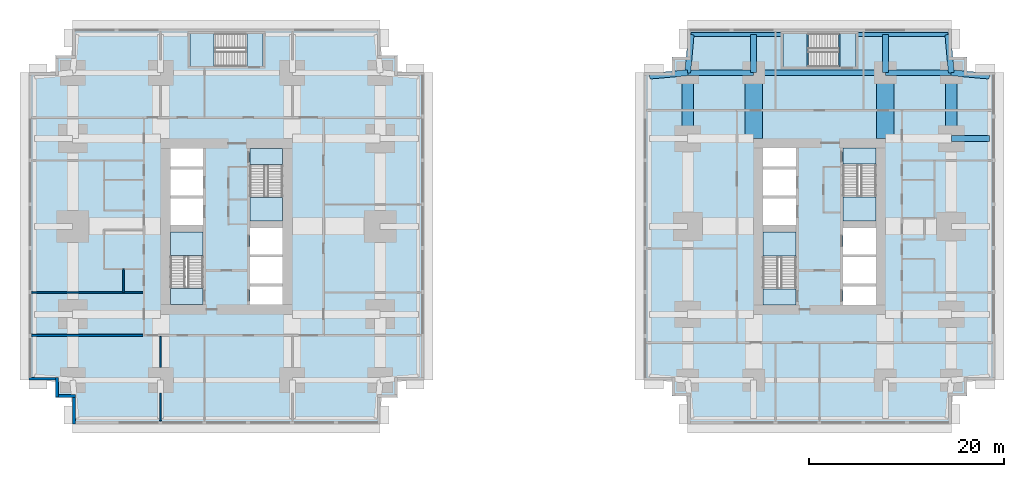
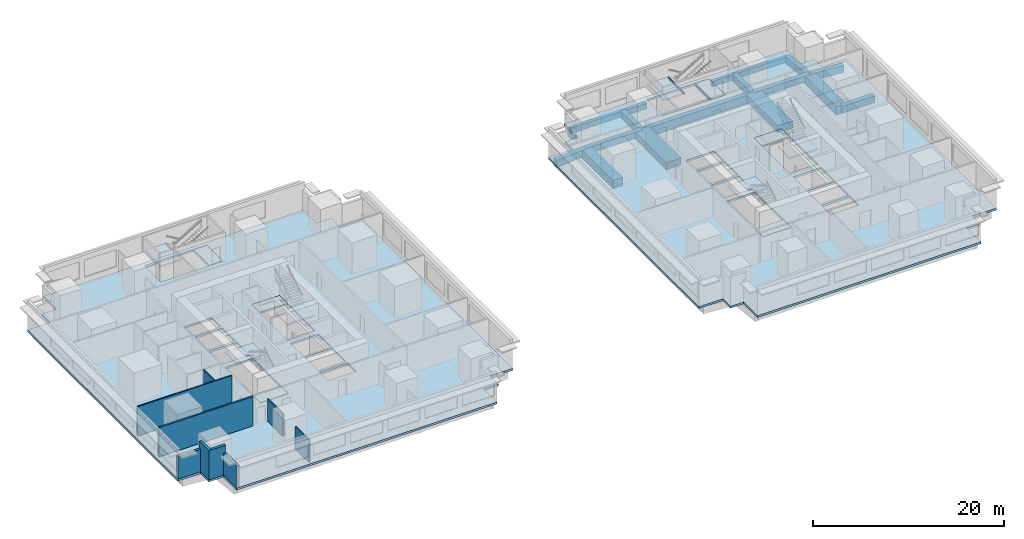
# One storey, part 2 of 11: 18 beams, 14 slabs, 9 walls, 6 elements without a shape of their own.
"""IFC4 building model written with IfcOpenShell, lengths in metres."""

import ifcopenshell
import ifcopenshell.guid

model = None  # the IFC model being written
_history = None  # IfcOwnerHistory: only IFC2X3 demands one
_inside = {}  # id of a spatial element -> (the spatial element, [elements in it])
_under = {}  # id of a project, library or spatial element -> (it, [spatial elements below it])
_declared = {}  # id of a project -> (the project, [libraries it declares])
_typed = {}  # id of a type object -> (the type object, [elements of that type])
_made_of = {}  # id of a material, layer set ... -> (it, [elements and type objects made of it])


def new_model(schema):
    """Start an empty IFC model of exactly this schema.

    Asked for "IFC4X3", IfcOpenShell would pick the latest addendum, in which some entities
    have other attributes; the version numbers below select the first issue.
    IFC2X3 requires an IfcOwnerHistory on every rooted entity: one is made here for all.
    """
    global model, _history
    if schema == "IFC4X3":
        model = ifcopenshell.file(schema_version=(4, 3, 0, 0))
    else:
        model = ifcopenshell.file(schema=schema)
    _inside.clear()
    _under.clear()
    _declared.clear()
    _typed.clear()
    _made_of.clear()
    _history = None
    if model.schema == "IFC2X3":
        org = make("IfcOrganization", Name="unknown")
        user = make(
            "IfcPersonAndOrganization",
            ThePerson=make("IfcPerson", FamilyName="unknown"),
            TheOrganization=org,
        )
        app = make(
            "IfcApplication",
            ApplicationDeveloper=org,
            Version="unknown",
            ApplicationFullName="unknown",
            ApplicationIdentifier="unknown",
        )
        _history = make(
            "IfcOwnerHistory",
            OwningUser=user,
            OwningApplication=app,
            ChangeAction="ADDED",
            CreationDate=0,
        )
    return model


def make(cls, **values):
    """One entity of the class cls with the attributes given. An attribute that is None is left unset."""
    return model.create_entity(
        cls, **{name: value for name, value in values.items() if value is not None}
    )


def rooted(cls, **values):
    """An entity with a GlobalId (a new one), such as an element, a storey or a relation."""
    return make(cls, GlobalId=ifcopenshell.guid.new(), OwnerHistory=_history, **values)


def si_unit(unit_type, name, prefix=None):
    """IfcSIUnit, for example si_unit("LENGTHUNIT", "METRE", prefix="MILLI")."""
    return make("IfcSIUnit", UnitType=unit_type, Prefix=prefix, Name=name)


def assignment(units):
    """IfcUnitAssignment: the units of a project."""
    return None if units is None else make("IfcUnitAssignment", Units=units)


def point(xyz):
    """IfcCartesianPoint."""
    return None if xyz is None else make("IfcCartesianPoint", Coordinates=xyz)


def direction(xyz):
    """IfcDirection."""
    return None if xyz is None else make("IfcDirection", DirectionRatios=xyz)


def frame(location, z_axis=None, x_axis=None):
    """IfcAxis2Placement3D, a coordinate frame: its origin and axes. An axis left out is left unset."""
    return make(
        "IfcAxis2Placement3D",
        Location=point(location),
        Axis=direction(z_axis),
        RefDirection=direction(x_axis),
    )


def frame_2d(location, x_axis=None):
    """IfcAxis2Placement2D, a coordinate frame in the plane: its origin and x axis."""
    return make(
        "IfcAxis2Placement2D", Location=point(location), RefDirection=direction(x_axis)
    )


def origin():
    """The frame at (0, 0, 0) with its axes left unset."""
    return frame((0.0, 0.0, 0.0))


def origin_2d():
    """The frame at (0, 0) in the plane with its x axis left unset."""
    return frame_2d((0.0, 0.0))


def place(relative_to, where):
    """IfcLocalPlacement: puts the frame where relative to a parent placement (None: the world)."""
    return make(
        "IfcLocalPlacement", PlacementRelTo=relative_to, RelativePlacement=where
    )


def context(
    kind, dimensions, precision=None, world=None, true_north=None, identifier=None
):
    """IfcGeometricRepresentationContext, for example the 3D "Model" context."""
    return make(
        "IfcGeometricRepresentationContext",
        ContextIdentifier=identifier,
        ContextType=kind,
        CoordinateSpaceDimension=dimensions,
        Precision=precision,
        WorldCoordinateSystem=world,
        TrueNorth=true_north,
    )


def subcontext(parent, identifier, kind, view, scale=None):
    """IfcGeometricRepresentationSubContext, for example "Body" below "Model"."""
    return make(
        "IfcGeometricRepresentationSubContext",
        ContextIdentifier=identifier,
        ContextType=kind,
        ParentContext=parent,
        TargetScale=scale,
        TargetView=view,
    )


def project(units=None, contexts=None):
    """IfcProject with its units and contexts."""
    return rooted(
        "IfcProject",
        Name="project",
        RepresentationContexts=contexts,
        UnitsInContext=assignment(units),
    )


def spatial(cls, under=None, at=None, **own):
    """A site, building, storey or space (cls), placed at a placement, below another one or the project."""
    s = rooted(cls, ObjectPlacement=at, **own)
    if under is not None:
        _under.setdefault(under.id(), (under, []))[1].append(s)
    return s


def polyline(points):
    """IfcPolyline through the points."""
    return make("IfcPolyline", Points=[point(p) for p in points])


def profile(cls, at=None, kind="AREA", **sizes):
    """A parametric profile (cls). Its sizes go by their IFC names, for example OverallWidth=200.0."""
    return make(cls, ProfileType=kind, Position=at, **sizes)


def rectangle(**sizes):
    """IfcRectangleProfileDef."""
    return profile("IfcRectangleProfileDef", **sizes)


def i_section(**sizes):
    """IfcIShapeProfileDef."""
    return profile("IfcIShapeProfileDef", **sizes)


def outline(outer, holes=None, kind="AREA"):
    """IfcArbitraryClosedProfileDef: a profile drawn as a closed curve; with holes, ...WithVoids."""
    if holes is None:
        return make("IfcArbitraryClosedProfileDef", ProfileType=kind, OuterCurve=outer)
    return make(
        "IfcArbitraryProfileDefWithVoids",
        ProfileType=kind,
        OuterCurve=outer,
        InnerCurves=holes,
    )


def extrude(swept, where, along, depth):
    """IfcExtrudedAreaSolid: the profile swept, set in the frame where, extruded along a direction by depth."""
    return make(
        "IfcExtrudedAreaSolid",
        SweptArea=swept,
        Position=where,
        ExtrudedDirection=direction(along),
        Depth=depth,
    )


def shape(context_of_items, identifier, shape_type, items):
    """IfcShapeRepresentation: the items that make up one representation, for example the "Body"."""
    return make(
        "IfcShapeRepresentation",
        ContextOfItems=context_of_items,
        RepresentationIdentifier=identifier,
        RepresentationType=shape_type,
        Items=items,
    )


def material(Name=None, Category=None):
    """IfcMaterial."""
    return make("IfcMaterial", Name=Name, Category=Category)


def layer(
    of_material, thickness, ventilated=None, Name=None, Category=None, Priority=None
):
    """IfcMaterialLayer: one layer of a wall or slab, of a material (None: an air gap)."""
    return make(
        "IfcMaterialLayer",
        Material=of_material,
        LayerThickness=thickness,
        IsVentilated=ventilated,
        Name=Name,
        Category=Category,
        Priority=Priority,
    )


def layer_set(layers, Name=None):
    """IfcMaterialLayerSet."""
    return make("IfcMaterialLayerSet", MaterialLayers=layers, LayerSetName=Name)


def material_profile(
    of_material, cross_section, Name=None, Category=None, Priority=None
):
    """IfcMaterialProfile: a cross section and its material."""
    return make(
        "IfcMaterialProfile",
        Name=Name,
        Material=of_material,
        Profile=cross_section,
        Priority=Priority,
        Category=Category,
    )


def profile_set(profiles, Name=None, composite=None):
    """IfcMaterialProfileSet."""
    return make(
        "IfcMaterialProfileSet",
        Name=Name,
        MaterialProfiles=profiles,
        CompositeProfile=composite,
    )


def made_of(thing, what):
    """Note that an element or type object is made of a material, layer set ...; save() writes the relation."""
    if what is not None:
        _made_of.setdefault(what.id(), (what, []))[1].append(thing)
    return thing


def type_object(cls, material=None, **own):
    """A type object (cls), such as IfcWallType, which elements share."""
    return made_of(rooted(cls, **own), material)


def element(
    cls,
    number,
    at=None,
    inside=None,
    cuts=None,
    type_object=None,
    material=None,
    context=None,
    identifier="Body",
    shape_type=None,
    held_by="IfcProductDefinitionShape",
    body=None,
    shapes=None,
    **own,
):
    """One element of the class cls, such as IfcWall. Its Tag is "e" and its number.

    at: its placement. inside: the storey or other place that contains it. cuts: it is an
    opening in that element (IfcRelVoidsElement). A single representation is given by context,
    identifier, shape_type and body (its items); several are given by shapes. held_by: the class
    of the entity that holds the representations. save() writes the other relations.
    """
    e = rooted(cls, Tag="e%d" % number, ObjectPlacement=at, **own)
    if body is not None:
        shapes = [shape(context, identifier, shape_type, body)]
    if shapes is not None:
        e.Representation = make(held_by, Representations=shapes)
    if inside is not None:
        _inside.setdefault(inside.id(), (inside, []))[1].append(e)
    if cuts is not None:
        rooted(
            "IfcRelVoidsElement", RelatingBuildingElement=cuts, RelatedOpeningElement=e
        )
    if type_object is not None:
        _typed.setdefault(type_object.id(), (type_object, []))[1].append(e)
    return made_of(e, material)


def aggregate(whole, parts):
    """IfcRelAggregates: a whole, such as a stair, and the parts it consists of."""
    return rooted("IfcRelAggregates", RelatingObject=whole, RelatedObjects=parts)


def save(model, path):
    """Write the relations noted so far, then the file.

    IfcRelAggregates (storeys below a building ...), IfcRelContainedInSpatialStructure (elements
    in a storey), IfcRelDefinesByType, IfcRelAssociatesMaterial and IfcRelDeclares: one each for
    every whole, place, type object, material and project.
    """
    for whole, parts in _under.values():
        aggregate(whole, parts)
    for where, things in _inside.values():
        rooted(
            "IfcRelContainedInSpatialStructure",
            RelatedElements=things,
            RelatingStructure=where,
        )
    for kind, things in _typed.values():
        rooted("IfcRelDefinesByType", RelatedObjects=things, RelatingType=kind)
    for what, things in _made_of.values():
        rooted("IfcRelAssociatesMaterial", RelatedObjects=things, RelatingMaterial=what)
    for by, libraries in _declared.values():
        rooted("IfcRelDeclares", RelatingContext=by, RelatedDefinitions=libraries)
    model.write(path)


model = new_model("IFC4")

# Units and contexts
model_context = context("Model", 3, precision=1e-05, world=origin(), true_north=direction((0.0, 1.0)))
body_context = subcontext(model_context, "Body", "Model", "MODEL_VIEW")
ifc_project = project(units=[si_unit("LENGTHUNIT", "METRE"), si_unit("AREAUNIT", "SQUARE_METRE"), si_unit("VOLUMEUNIT", "CUBIC_METRE"), si_unit("PLANEANGLEUNIT", "RADIAN"), si_unit("MASSUNIT", "GRAM", prefix="KILO")], contexts=[model_context])

# Site, building, storey
site_placement = place(None, origin())
site = spatial("IfcSite", under=ifc_project, at=site_placement, CompositionType="ELEMENT")
building_placement = place(site_placement, origin())
building = spatial("IfcBuilding", under=site, at=building_placement, Name="Namib Vertical Campus", CompositionType="ELEMENT")
storey_placement = place(building_placement, frame((0.0, 0.0, 41.0)))
storey = spatial("IfcBuildingStorey", under=building, at=storey_placement, Name="L09", CompositionType="ELEMENT", Elevation=41.0)

# Beams
ifc_material_1 = material(Name="Concrete C40/50", Category="concrete")
ifc_material_profile_1 = material_profile(ifc_material_1, rectangle(XDim=0.60009765625, YDim=0.89990234375, at=origin_2d()))
ifc_profile_set_1 = profile_set([ifc_material_profile_1], Name="Concrete C40/50")
beam_type_1 = type_object("IfcBeamType", Name="Cantilever girder RC 600x900", PredefinedType="BEAM", material=ifc_profile_set_1)
beam_1_placement = place(storey_placement, frame((67.5, 36.0, -0.699951171875), z_axis=(0.089411326146, 0.995994786511, 0.0), x_axis=(-0.995994786511, 0.089411326146, 0.0)))
element("IfcBeam", 1, at=beam_1_placement, inside=storey, type_object=beam_type_1, Name="Beam B3 L09", PredefinedType="BEAM", context=body_context, shape_type="SweptSolid", body=[
    extrude(rectangle(XDim=0.60009765625, YDim=0.89990234375, at=origin_2d()), origin(), (0.0, 0.0, 1.0), 3.91552734375),
])
for number, where, z_axis, x_axis, name in (
    (2, (74.25, 36.0, -0.699951171875), (0.0, 1.0, 0.0), (-1.0, 0.0, 0.0), "Beam B3 L09"),
    (3, (87.75, 36.0, -0.699951171875), (0.0, 1.0, 0.0), (-1.0, 0.0, 0.0), "Beam B3 L09"),
):
    element("IfcBeam", number, at=place(storey_placement, frame(where, z_axis=z_axis, x_axis=x_axis)), inside=storey, type_object=beam_type_1, Name=name, PredefinedType="BEAM", context=body_context, shape_type="SweptSolid", body=[
        extrude(rectangle(XDim=0.60009765625, YDim=0.89990234375, at=origin_2d()), origin(), (0.0, 0.0, 1.0), 3.89990234375),
    ])
for number, where, z_axis, x_axis, name in (
    (4, (94.5, 36.0, -0.699951171875), (-0.089411326146, 0.995994786511, 0.0), (-0.995994786511, -0.089411326146, 0.0), "Beam B3 L09"),
    (5, (67.5, 36.0, -0.699951171875), (-0.995994786511, -0.089411326146, 0.0), (0.089411326146, -0.995994786511, 0.0), "Beam B3 L09"),
):
    element("IfcBeam", number, at=place(storey_placement, frame(where, z_axis=z_axis, x_axis=x_axis)), inside=storey, type_object=beam_type_1, Name=name, PredefinedType="BEAM", context=body_context, shape_type="SweptSolid", body=[
        extrude(rectangle(XDim=0.60009765625, YDim=0.89990234375, at=origin_2d()), origin(), (0.0, 0.0, 1.0), 3.91552734375),
    ])
beam_2_placement = place(storey_placement, frame((94.5, 29.25, -0.699951171875), z_axis=(1.0, 0.0, 0.0), x_axis=(0.0, 1.0, 0.0)))
element("IfcBeam", 6, at=beam_2_placement, inside=storey, type_object=beam_type_1, Name="Beam B3 L09", PredefinedType="BEAM", context=body_context, shape_type="SweptSolid", body=[
    extrude(rectangle(XDim=0.60009765625, YDim=0.89990234375, at=origin_2d()), origin(), (0.0, 0.0, 1.0), 3.89990234375),
])
beam_3_placement = place(storey_placement, frame((94.5, 36.0, -0.699951171875), z_axis=(0.995994786511, -0.089411326146, 0.0), x_axis=(0.089411326146, 0.995994786511, 0.0)))
element("IfcBeam", 7, at=beam_3_placement, inside=storey, type_object=beam_type_1, Name="Beam B3 L09", PredefinedType="BEAM", context=body_context, shape_type="SweptSolid", body=[
    extrude(rectangle(XDim=0.60009765625, YDim=0.89990234375, at=origin_2d()), origin(), (0.0, 0.0, 1.0), 3.91552734375),
])
ifc_material_2 = material(Name="Concrete C40/50", Category="concrete")
ifc_material_profile_2 = material_profile(ifc_material_2, rectangle(XDim=0.39990234375, YDim=0.699951171875, at=origin_2d()))
ifc_profile_set_2 = profile_set([ifc_material_profile_2], Name="Concrete C40/50")
beam_type_2 = type_object("IfcBeamType", Name="Edge beam RC 400x700", PredefinedType="SPANDREL", material=ifc_profile_set_2)
for number, where, z_axis, x_axis, name in (
    (8, (67.85009765625, 39.89990234375, -0.60009765625), (1.0, 0.0, 0.0), (0.0, 1.0, 0.0), "Beam B4 L09"),
    (9, (84.949951171875, 39.89990234375, -0.60009765625), (1.0, 0.0, 0.0), (0.0, 1.0, 0.0), "Beam B4 L09"),
):
    element("IfcBeam", number, at=place(storey_placement, frame(where, z_axis=z_axis, x_axis=x_axis)), inside=storey, type_object=beam_type_2, Name=name, PredefinedType="SPANDREL", context=body_context, shape_type="SweptSolid", body=[
        extrude(rectangle(XDim=0.39990234375, YDim=0.699951171875, at=origin_2d()), origin(), (0.0, 0.0, 1.0), 9.199951171875),
    ])
ifc_material_3 = material(Name="Concrete C40/50", Category="concrete")
ifc_material_profile_3 = material_profile(ifc_material_3, rectangle(XDim=1.199951171875, YDim=1.10009765625, at=origin_2d()))
ifc_profile_set_3 = profile_set([ifc_material_profile_3], Name="Concrete C40/50")
beam_type_3 = type_object("IfcBeamType", Name="Face ring beam RC 1200x1100", PredefinedType="BEAM", material=ifc_profile_set_3)
for number, where, z_axis, x_axis, name in (
    (10, (67.5, 29.25, -0.800048828125), (0.0, 1.0, 0.0), (-1.0, 0.0, 0.0), "Beam B11 L09"),
    (11, (94.5, 29.25, -0.800048828125), (0.0, 1.0, 0.0), (-1.0, 0.0, 0.0), "Beam B11 L09"),
):
    element("IfcBeam", number, at=place(storey_placement, frame(where, z_axis=z_axis, x_axis=x_axis)), inside=storey, type_object=beam_type_3, Name=name, PredefinedType="BEAM", context=body_context, shape_type="SweptSolid", body=[
        extrude(rectangle(XDim=1.199951171875, YDim=1.10009765625, at=origin_2d()), origin(), (0.0, 0.0, 1.0), 6.75),
    ])
ifc_material_4 = material(Name="Steel S355JR", Category="steel")
ifc_material_profile_4 = material_profile(ifc_material_4, i_section(OverallWidth=0.14599609375, OverallDepth=0.25146484375, WebThickness=0.006103515625, FlangeThickness=0.008544921875, FilletRadius=0.007568359375, at=origin_2d()))
ifc_profile_set_4 = profile_set([ifc_material_profile_4], Name="Steel S355JR")
beam_type_4 = type_object("IfcBeamType", Name="Landing trimmer UB 254x146x31", PredefinedType="BEAM", material=ifc_profile_set_4)
for number, where, z_axis, x_axis, name in (
    (12, (83.02294921875, 36.60009765625, -0.125732421875), (0.0, 1.0, 0.0), (-1.0, 0.0, 0.0), "Landing trimmer LT1 B-S3 L09 1"),
    (13, (79.796875, 36.60009765625, 1.874267578125), (0.0, 1.0, 0.0), (-1.0, 0.0, 0.0), "Landing trimmer LT1 B-S3 L09 2"),
):
    element("IfcBeam", number, at=place(storey_placement, frame(where, z_axis=z_axis, x_axis=x_axis)), inside=storey, type_object=beam_type_4, Name=name, PredefinedType="BEAM", context=body_context, shape_type="SweptSolid", body=[
        extrude(i_section(OverallWidth=0.14599609375, OverallDepth=0.25146484375, WebThickness=0.006103515625, FlangeThickness=0.008544921875, FilletRadius=0.007568359375, at=origin_2d()), origin(), (0.0, 0.0, 1.0), 3.39990234375),
    ])
ifc_material_5 = material(Name="Concrete C40/50", Category="concrete")
ifc_material_profile_5 = material_profile(ifc_material_5, rectangle(XDim=0.60009765625, YDim=1.199951171875, at=origin_2d()))
ifc_profile_set_5 = profile_set([ifc_material_profile_5], Name="Concrete C40/50")
beam_type_5 = type_object("IfcBeamType", Name="Long-span ring beam RC 600x1200", PredefinedType="BEAM", material=ifc_profile_set_5)
beam_4_placement = place(storey_placement, frame((74.25, 36.0, -0.85009765625), z_axis=(1.0, 0.0, 0.0), x_axis=(0.0, 1.0, 0.0)))
element("IfcBeam", 14, at=beam_4_placement, inside=storey, type_object=beam_type_5, Name="Beam B9 L09", PredefinedType="BEAM", context=body_context, shape_type="SweptSolid", body=[
    extrude(rectangle(XDim=0.60009765625, YDim=1.199951171875, at=origin_2d()), origin(), (0.0, 0.0, 1.0), 13.5),
])
ifc_material_6 = material(Name="Concrete C40/50", Category="concrete")
ifc_material_profile_6 = material_profile(ifc_material_6, rectangle(XDim=1.800048828125, YDim=0.89990234375, at=origin_2d()))
ifc_profile_set_6 = profile_set([ifc_material_profile_6], Name="Concrete C40/50")
beam_type_6 = type_object("IfcBeamType", Name="Outrigger line girder RC 1800x900", PredefinedType="BEAM", material=ifc_profile_set_6)
for number, where, z_axis, x_axis, name in (
    (15, (74.25, 36.0, -0.699951171875), (0.0, -1.0, 0.0), (1.0, 0.0, 0.0), "Beam B12 L09"),
    (16, (87.75, 36.0, -0.699951171875), (0.0, -1.0, 0.0), (1.0, 0.0, 0.0), "Beam B12 L09"),
):
    element("IfcBeam", number, at=place(storey_placement, frame(where, z_axis=z_axis, x_axis=x_axis)), inside=storey, type_object=beam_type_6, Name=name, PredefinedType="BEAM", context=body_context, shape_type="SweptSolid", body=[
        extrude(rectangle(XDim=1.800048828125, YDim=0.89990234375, at=origin_2d()), origin(), (0.0, 0.0, 1.0), 6.75),
    ])
ifc_material_7 = material(Name="Concrete C40/50", Category="concrete")
ifc_material_profile_7 = material_profile(ifc_material_7, rectangle(XDim=0.60009765625, YDim=0.800048828125, at=origin_2d()))
ifc_profile_set_7 = profile_set([ifc_material_profile_7], Name="Concrete C40/50")
beam_type_7 = type_object("IfcBeamType", Name="Ring beam RC 600x800", PredefinedType="BEAM", material=ifc_profile_set_7)
for number, where, z_axis, x_axis, name in (
    (17, (67.5, 36.0, -0.64990234375), (1.0, 0.0, 0.0), (0.0, 1.0, 0.0), "Beam B1 L09"),
    (18, (87.75, 36.0, -0.64990234375), (1.0, 0.0, 0.0), (0.0, 1.0, 0.0), "Beam B1 L09"),
):
    element("IfcBeam", number, at=place(storey_placement, frame(where, z_axis=z_axis, x_axis=x_axis)), inside=storey, type_object=beam_type_7, Name=name, PredefinedType="BEAM", context=body_context, shape_type="SweptSolid", body=[
        extrude(rectangle(XDim=0.60009765625, YDim=0.800048828125, at=origin_2d()), origin(), (0.0, 0.0, 1.0), 6.75),
    ])

# Slabs
ifc_material_8 = material(Name="Concrete C40/50", Category="concrete")
ifc_layer_1 = layer(ifc_material_8, 0.25)
ifc_layer_set_1 = layer_set([ifc_layer_1], Name="Concrete C40/50")
slab_type_1 = type_object("IfcSlabType", Name="Floor slab 250", PredefinedType="FLOOR", material=ifc_layer_set_1)
slab_1_placement = place(storey_placement, frame((0.0, 0.0, -0.25)))
element("IfcSlab", 19, at=slab_1_placement, inside=storey, type_object=slab_type_1, Name="Floor slab A L09", PredefinedType="FLOOR", context=body_context, shape_type="SweptSolid", body=[
    extrude(outline(polyline([(4.5, 0.0), (36.0, 0.0), (36.0, 2.75), (37.75, 2.75), (37.75, 4.5), (40.5, 4.5), (40.5, 36.0), (37.75, 36.0), (37.75, 37.75), (36.0, 37.75), (36.0, 40.5), (4.5, 40.5), (4.5, 37.75), (2.75, 37.75), (2.75, 36.0), (0.0, 36.0), (0.0, 4.5), (2.75, 4.5), (2.75, 2.75), (4.5, 2.75), (4.5, 0.0)]), holes=[polyline([(14.5, 12.25), (17.85009765625, 12.25), (17.85009765625, 19.699951171875), (14.5, 19.699951171875), (14.5, 12.25)]), polyline([(22.64990234375, 20.800048828125), (26.0, 20.800048828125), (26.0, 28.25), (22.64990234375, 28.25), (22.64990234375, 20.800048828125)]), polyline([(22.64990234375, 12.25), (26.0, 12.25), (26.0, 14.10009765625), (22.64990234375, 14.10009765625), (22.64990234375, 12.25)]), polyline([(14.5, 20.39990234375), (17.85009765625, 20.39990234375), (17.85009765625, 23.10009765625), (14.5, 23.10009765625), (14.5, 20.39990234375)]), polyline([(14.5, 23.39990234375), (17.85009765625, 23.39990234375), (17.85009765625, 26.10009765625), (14.5, 26.10009765625), (14.5, 23.39990234375)]), polyline([(14.5, 26.39990234375), (17.85009765625, 26.39990234375), (17.85009765625, 28.25), (14.5, 28.25), (14.5, 26.39990234375)]), polyline([(22.64990234375, 14.39990234375), (26.0, 14.39990234375), (26.0, 17.10009765625), (22.64990234375, 17.10009765625), (22.64990234375, 14.39990234375)]), polyline([(22.64990234375, 17.39990234375), (26.0, 17.39990234375), (26.0, 20.10009765625), (22.64990234375, 20.10009765625), (22.64990234375, 17.39990234375)]), polyline([(16.5, 36.64990234375), (24.0, 36.64990234375), (24.0, 40.0), (16.5, 40.0), (16.5, 36.64990234375)])]), origin(), (0.0, 0.0, 1.0), 0.25),
])
slab_2_placement = place(storey_placement, frame((0.0, 0.0, -0.25)))
element("IfcSlab", 20, at=slab_2_placement, inside=storey, type_object=slab_type_1, Name="Floor slab B L09", PredefinedType="FLOOR", context=body_context, shape_type="SweptSolid", body=[
    extrude(outline(polyline([(67.5, 0.0), (94.5, 0.0), (94.5, 2.89990234375), (96.10009765625, 2.89990234375), (96.10009765625, 4.5), (99.0, 4.5), (99.0, 36.0), (96.10009765625, 36.0), (96.10009765625, 37.60009765625), (94.5, 37.60009765625), (94.5, 40.5), (67.5, 40.5), (67.5, 37.60009765625), (65.89990234375, 37.60009765625), (65.89990234375, 36.0), (63.0, 36.0), (63.0, 4.5), (65.89990234375, 4.5), (65.89990234375, 2.89990234375), (67.5, 2.89990234375), (67.5, 0.0)]), holes=[polyline([(75.199951171875, 12.199951171875), (78.60009765625, 12.199951171875), (78.60009765625, 19.699951171875), (75.199951171875, 19.699951171875), (75.199951171875, 12.199951171875)]), polyline([(83.39990234375, 20.800048828125), (86.800048828125, 20.800048828125), (86.800048828125, 28.300048828125), (83.39990234375, 28.300048828125), (83.39990234375, 20.800048828125)]), polyline([(83.39990234375, 12.199951171875), (86.800048828125, 12.199951171875), (86.800048828125, 14.10009765625), (83.39990234375, 14.10009765625), (83.39990234375, 12.199951171875)]), polyline([(75.199951171875, 20.39990234375), (78.60009765625, 20.39990234375), (78.60009765625, 23.10009765625), (75.199951171875, 23.10009765625), (75.199951171875, 20.39990234375)]), polyline([(75.199951171875, 23.39990234375), (78.60009765625, 23.39990234375), (78.60009765625, 26.10009765625), (75.199951171875, 26.10009765625), (75.199951171875, 23.39990234375)]), polyline([(75.199951171875, 26.39990234375), (78.60009765625, 26.39990234375), (78.60009765625, 28.300048828125), (75.199951171875, 28.300048828125), (75.199951171875, 26.39990234375)]), polyline([(83.39990234375, 14.39990234375), (86.800048828125, 14.39990234375), (86.800048828125, 17.10009765625), (83.39990234375, 17.10009765625), (83.39990234375, 14.39990234375)]), polyline([(83.39990234375, 17.39990234375), (86.800048828125, 17.39990234375), (86.800048828125, 20.10009765625), (83.39990234375, 20.10009765625), (83.39990234375, 17.39990234375)]), polyline([(77.25, 36.60009765625), (84.75, 36.60009765625), (84.75, 40.0), (77.25, 40.0), (77.25, 36.60009765625)])]), origin(), (0.0, 0.0, 1.0), 0.25),
])

# Stair, slabs
ifc_material_9 = material(Name="Concrete C40/50 precast", Category="concrete")
stair_type_1 = type_object("IfcStairType", Name="Exit stair 4000 rise 24 risers 3350 wide", PredefinedType="HALF_TURN_STAIR", material=ifc_material_9)
stair_1_placement = place(storey_placement, origin())
stair_1 = element("IfcStair", 21, at=stair_1_placement, inside=storey, type_object=stair_type_1, Name="Exit stair A-S1 L09", PredefinedType="HALF_TURN_STAIR")
ifc_material_10 = material(Name="Concrete C40/50", Category="concrete")
ifc_layer_2 = layer(ifc_material_10, 0.199951171875)
ifc_layer_set_2 = layer_set([ifc_layer_2], Name="Concrete C40/50")
slab_type_2 = type_object("IfcSlabType", Name="Stair landing 200", PredefinedType="LANDING", material=ifc_layer_set_2)
slab_3_placement = place(storey_placement, frame((0.0, 0.0, -0.199951171875)))
slab_3 = element("IfcSlab", 22, at=slab_3_placement, type_object=slab_type_2, Name="A-S1 landing 1", PredefinedType="LANDING", context=body_context, shape_type="SweptSolid", body=[
    extrude(outline(polyline([(14.5, 12.25), (17.85009765625, 12.25), (17.85009765625, 13.90380859375), (14.5, 13.90380859375), (14.5, 12.25)])), origin(), (0.0, 0.0, 1.0), 0.199951171875),
])
slab_4_placement = place(storey_placement, frame((0.0, 0.0, 1.800048828125)))
slab_4 = element("IfcSlab", 23, at=slab_4_placement, type_object=slab_type_2, Name="A-S1 landing 2", PredefinedType="LANDING", context=body_context, shape_type="SweptSolid", body=[
    extrude(outline(polyline([(14.5, 17.276123046875), (17.85009765625, 17.276123046875), (17.85009765625, 19.699951171875), (14.5, 19.699951171875), (14.5, 17.276123046875)])), origin(), (0.0, 0.0, 1.0), 0.199951171875),
])
aggregate(stair_1, [slab_3, slab_4])

stair_2_placement = place(storey_placement, origin())
stair_2 = element("IfcStair", 24, at=stair_2_placement, inside=storey, type_object=stair_type_1, Name="Exit stair A-S2 L09", PredefinedType="HALF_TURN_STAIR")
slab_5_placement = place(storey_placement, frame((0.0, 0.0, -0.199951171875)))
slab_5 = element("IfcSlab", 25, at=slab_5_placement, type_object=slab_type_2, Name="A-S2 landing 1", PredefinedType="LANDING", context=body_context, shape_type="SweptSolid", body=[
    extrude(outline(polyline([(22.64990234375, 26.59619140625), (26.0, 26.59619140625), (26.0, 28.25), (22.64990234375, 28.25), (22.64990234375, 26.59619140625)])), origin(), (0.0, 0.0, 1.0), 0.199951171875),
])
slab_6_placement = place(storey_placement, frame((0.0, 0.0, 1.800048828125)))
slab_6 = element("IfcSlab", 26, at=slab_6_placement, type_object=slab_type_2, Name="A-S2 landing 2", PredefinedType="LANDING", context=body_context, shape_type="SweptSolid", body=[
    extrude(outline(polyline([(22.64990234375, 20.800048828125), (26.0, 20.800048828125), (26.0, 23.223876953125), (22.64990234375, 23.223876953125), (22.64990234375, 20.800048828125)])), origin(), (0.0, 0.0, 1.0), 0.199951171875),
])
aggregate(stair_2, [slab_5, slab_6])

ifc_material_11 = material(Name="Concrete C40/50 precast", Category="concrete")
stair_type_2 = type_object("IfcStairType", Name="Exit stair 4000 rise 24 risers 3400 wide", PredefinedType="HALF_TURN_STAIR", material=ifc_material_11)
stair_3_placement = place(storey_placement, origin())
stair_3 = element("IfcStair", 27, at=stair_3_placement, inside=storey, type_object=stair_type_2, Name="Exit stair B-S1 L09", PredefinedType="HALF_TURN_STAIR")
slab_7_placement = place(storey_placement, frame((0.0, 0.0, -0.199951171875)))
slab_7 = element("IfcSlab", 28, at=slab_7_placement, type_object=slab_type_2, Name="B-S1 landing 1", PredefinedType="LANDING", context=body_context, shape_type="SweptSolid", body=[
    extrude(outline(polyline([(75.199951171875, 12.199951171875), (78.60009765625, 12.199951171875), (78.60009765625, 13.85400390625), (75.199951171875, 13.85400390625), (75.199951171875, 12.199951171875)])), origin(), (0.0, 0.0, 1.0), 0.199951171875),
])
slab_8_placement = place(storey_placement, frame((0.0, 0.0, 1.800048828125)))
slab_8 = element("IfcSlab", 29, at=slab_8_placement, type_object=slab_type_2, Name="B-S1 landing 2", PredefinedType="LANDING", context=body_context, shape_type="SweptSolid", body=[
    extrude(outline(polyline([(75.199951171875, 17.22607421875), (78.60009765625, 17.22607421875), (78.60009765625, 19.699951171875), (75.199951171875, 19.699951171875), (75.199951171875, 17.22607421875)])), origin(), (0.0, 0.0, 1.0), 0.199951171875),
])
aggregate(stair_3, [slab_7, slab_8])

stair_4_placement = place(storey_placement, origin())
stair_4 = element("IfcStair", 30, at=stair_4_placement, inside=storey, type_object=stair_type_2, Name="Exit stair B-S2 L09", PredefinedType="HALF_TURN_STAIR")
slab_9_placement = place(storey_placement, frame((0.0, 0.0, -0.199951171875)))
slab_9 = element("IfcSlab", 31, at=slab_9_placement, type_object=slab_type_2, Name="B-S2 landing 1", PredefinedType="LANDING", context=body_context, shape_type="SweptSolid", body=[
    extrude(outline(polyline([(83.39990234375, 26.64599609375), (86.800048828125, 26.64599609375), (86.800048828125, 28.300048828125), (83.39990234375, 28.300048828125), (83.39990234375, 26.64599609375)])), origin(), (0.0, 0.0, 1.0), 0.199951171875),
])
slab_10_placement = place(storey_placement, frame((0.0, 0.0, 1.800048828125)))
slab_10 = element("IfcSlab", 32, at=slab_10_placement, type_object=slab_type_2, Name="B-S2 landing 2", PredefinedType="LANDING", context=body_context, shape_type="SweptSolid", body=[
    extrude(outline(polyline([(83.39990234375, 20.800048828125), (86.800048828125, 20.800048828125), (86.800048828125, 23.27392578125), (83.39990234375, 23.27392578125), (83.39990234375, 20.800048828125)])), origin(), (0.0, 0.0, 1.0), 0.199951171875),
])
aggregate(stair_4, [slab_9, slab_10])

stair_5_placement = place(storey_placement, origin())
stair_5 = element("IfcStair", 33, at=stair_5_placement, inside=storey, type_object=stair_type_1, Name="Exit stair A-S3 L09", PredefinedType="HALF_TURN_STAIR")
slab_11_placement = place(storey_placement, frame((0.0, 0.0, -0.199951171875)))
slab_11 = element("IfcSlab", 34, at=slab_11_placement, type_object=slab_type_2, Name="A-S3 landing 1", PredefinedType="LANDING", context=body_context, shape_type="SweptSolid", body=[
    extrude(outline(polyline([(22.34619140625, 36.64990234375), (22.34619140625, 40.0), (24.0, 40.0), (24.0, 36.64990234375), (22.34619140625, 36.64990234375)])), origin(), (0.0, 0.0, 1.0), 0.199951171875),
])
slab_12_placement = place(storey_placement, frame((0.0, 0.0, 1.800048828125)))
slab_12 = element("IfcSlab", 35, at=slab_12_placement, type_object=slab_type_2, Name="A-S3 landing 2", PredefinedType="LANDING", context=body_context, shape_type="SweptSolid", body=[
    extrude(outline(polyline([(16.5, 36.64990234375), (16.5, 40.0), (18.973876953125, 40.0), (18.973876953125, 36.64990234375), (16.5, 36.64990234375)])), origin(), (0.0, 0.0, 1.0), 0.199951171875),
])
aggregate(stair_5, [slab_11, slab_12])

stair_6_placement = place(storey_placement, origin())
stair_6 = element("IfcStair", 36, at=stair_6_placement, inside=storey, type_object=stair_type_2, Name="Exit stair B-S3 L09", PredefinedType="HALF_TURN_STAIR")
slab_13_placement = place(storey_placement, frame((0.0, 0.0, -0.199951171875)))
slab_13 = element("IfcSlab", 37, at=slab_13_placement, type_object=slab_type_2, Name="B-S3 landing 1", PredefinedType="LANDING", context=body_context, shape_type="SweptSolid", body=[
    extrude(outline(polyline([(83.09619140625, 36.60009765625), (83.09619140625, 40.0), (84.75, 40.0), (84.75, 36.60009765625), (83.09619140625, 36.60009765625)])), origin(), (0.0, 0.0, 1.0), 0.199951171875),
])
slab_14_placement = place(storey_placement, frame((0.0, 0.0, 1.800048828125)))
slab_14 = element("IfcSlab", 38, at=slab_14_placement, type_object=slab_type_2, Name="B-S3 landing 2", PredefinedType="LANDING", context=body_context, shape_type="SweptSolid", body=[
    extrude(outline(polyline([(77.25, 36.60009765625), (77.25, 40.0), (79.723876953125, 40.0), (79.723876953125, 36.60009765625), (77.25, 36.60009765625)])), origin(), (0.0, 0.0, 1.0), 0.199951171875),
])
aggregate(stair_6, [slab_13, slab_14])

# Walls
ifc_material_12 = material(Name="Concrete masonry", Category="masonry")
ifc_layer_3 = layer(ifc_material_12, 0.199951171875)
ifc_layer_set_3 = layer_set([ifc_layer_3], Name="Corridor wall 200")
wall_type_1 = type_object("IfcWallType", Name="Corridor wall 200", PredefinedType="SOLIDWALL", material=ifc_layer_set_3)
wall_1_placement = place(storey_placement, frame((0.300048828125, 9.10009765625, 0.0), z_axis=(0.0, 0.0, 1.0), x_axis=(1.0, 0.0, 0.0)))
element("IfcWall", 39, at=wall_1_placement, inside=storey, type_object=wall_type_1, Name="Partition A L09 BSW", PredefinedType="SOLIDWALL", context=body_context, shape_type="SweptSolid", body=[
    extrude(rectangle(XDim=11.39990234375, YDim=0.199951171875, at=frame_2d((5.699951171875, 0.0))), origin(), (0.0, 0.0, 1.0), 3.75),
])
ifc_material_13 = material(Name="Concrete C40/50", Category="concrete")
ifc_layer_4 = layer(ifc_material_13, 0.300048828125)
ifc_layer_set_4 = layer_set([ifc_layer_4], Name="Concrete C40/50")
wall_type_2 = type_object("IfcWallType", Name="External wall 300 board-marked concrete", PredefinedType="STANDARD", material=ifc_layer_set_4)
wall_2_placement = place(storey_placement, frame((0.02001953125, 4.64990234375, 0.0), z_axis=(0.0, 0.0, 1.0), x_axis=(1.0, 0.0, 0.0)))
element("IfcWall", 40, at=wall_2_placement, inside=storey, type_object=wall_type_2, Name="External wall L09 F17", PredefinedType="STANDARD", context=body_context, shape_type="SweptSolid", body=[
    extrude(rectangle(XDim=3.010009765625, YDim=0.300048828125, at=frame_2d((1.5048828125, 0.0))), origin(), (0.0, 0.0, 1.0), 2.85009765625),
])
for number, where, z_axis, x_axis, name in (
    (41, (2.89990234375, 4.780029296875, 0.0), (0.0, 0.0, 1.0), (0.0, -1.0, 0.0), "External wall L09 F18"),
    (42, (2.77001953125, 2.89990234375, 0.0), (0.0, 0.0, 1.0), (1.0, 0.0, 0.0), "External wall L09 F19"),
):
    element("IfcWall", number, at=place(storey_placement, frame(where, z_axis=z_axis, x_axis=x_axis)), inside=storey, type_object=wall_type_2, Name=name, PredefinedType="STANDARD", context=body_context, shape_type="SweptSolid", body=[
        extrude(rectangle(XDim=2.010009765625, YDim=0.300048828125, at=frame_2d((1.0048828125, 0.0))), origin(), (0.0, 0.0, 1.0), 3.75),
    ])
wall_3_placement = place(storey_placement, frame((4.64990234375, 3.030029296875, 0.0), z_axis=(0.0, 0.0, 1.0), x_axis=(0.0, -1.0, 0.0)))
element("IfcWall", 43, at=wall_3_placement, inside=storey, type_object=wall_type_2, Name="External wall L09 F20", PredefinedType="STANDARD", context=body_context, shape_type="SweptSolid", body=[
    extrude(rectangle(XDim=3.010009765625, YDim=0.300048828125, at=frame_2d((1.5048828125, 0.0))), origin(), (0.0, 0.0, 1.0), 2.85009765625),
])
ifc_material_14 = material(Name="Gypsum board on steel studs", Category="steel")
ifc_layer_5 = layer(ifc_material_14, 0.14990234375)
ifc_layer_set_5 = layer_set([ifc_layer_5], Name="Gypsum board on steel studs")
wall_type_3 = type_object("IfcWallType", Name="Partition 150", PredefinedType="PARTITIONING", material=ifc_layer_set_5)
wall_4_placement = place(storey_placement, frame((13.5, 0.300048828125, 0.0), z_axis=(0.0, 0.0, 1.0), x_axis=(0.0, 1.0, 0.0)))
element("IfcWall", 44, at=wall_4_placement, inside=storey, type_object=wall_type_3, Name="Partition A L09 PS1", PredefinedType="PARTITIONING", context=body_context, shape_type="SweptSolid", body=[
    extrude(rectangle(XDim=2.8798828125, YDim=0.14990234375, at=frame_2d((1.43994140625, 0.0))), origin(), (0.0, 0.0, 1.0), 2.85009765625),
])
wall_5_placement = place(storey_placement, frame((13.5, 5.820068359375, 0.0), z_axis=(0.0, 0.0, 1.0), x_axis=(0.0, 1.0, 0.0)))
element("IfcWall", 45, at=wall_5_placement, inside=storey, type_object=wall_type_3, Name="Partition A L09 PS1", PredefinedType="PARTITIONING", context=body_context, shape_type="SweptSolid", body=[
    extrude(rectangle(XDim=3.179931640625, YDim=0.14990234375, at=frame_2d((1.58984375, 0.0))), origin(), (0.0, 0.0, 1.0), 2.85009765625),
])
wall_6_placement = place(storey_placement, frame((0.300048828125, 13.5, 0.0), z_axis=(0.0, 0.0, 1.0), x_axis=(1.0, 0.0, 0.0)))
element("IfcWall", 46, at=wall_6_placement, inside=storey, type_object=wall_type_3, Name="Partition A L09 PW1", PredefinedType="PARTITIONING", context=body_context, shape_type="SweptSolid", body=[
    extrude(rectangle(XDim=11.39990234375, YDim=0.14990234375, at=frame_2d((5.699951171875, 0.0))), origin(), (0.0, 0.0, 1.0), 3.75),
])
wall_7_placement = place(storey_placement, frame((9.699951171875, 13.5, 0.0), z_axis=(0.0, 0.0, 1.0), x_axis=(0.0, 1.0, 0.0)))
element("IfcWall", 47, at=wall_7_placement, inside=storey, type_object=wall_type_3, Name="Partition A L09 WB1", PredefinedType="PARTITIONING", context=body_context, shape_type="SweptSolid", body=[
    extrude(rectangle(XDim=2.39990234375, YDim=0.14990234375, at=frame_2d((1.199951171875, 0.0))), origin(), (0.0, 0.0, 1.0), 3.75),
])

save(model, "model.ifc")
